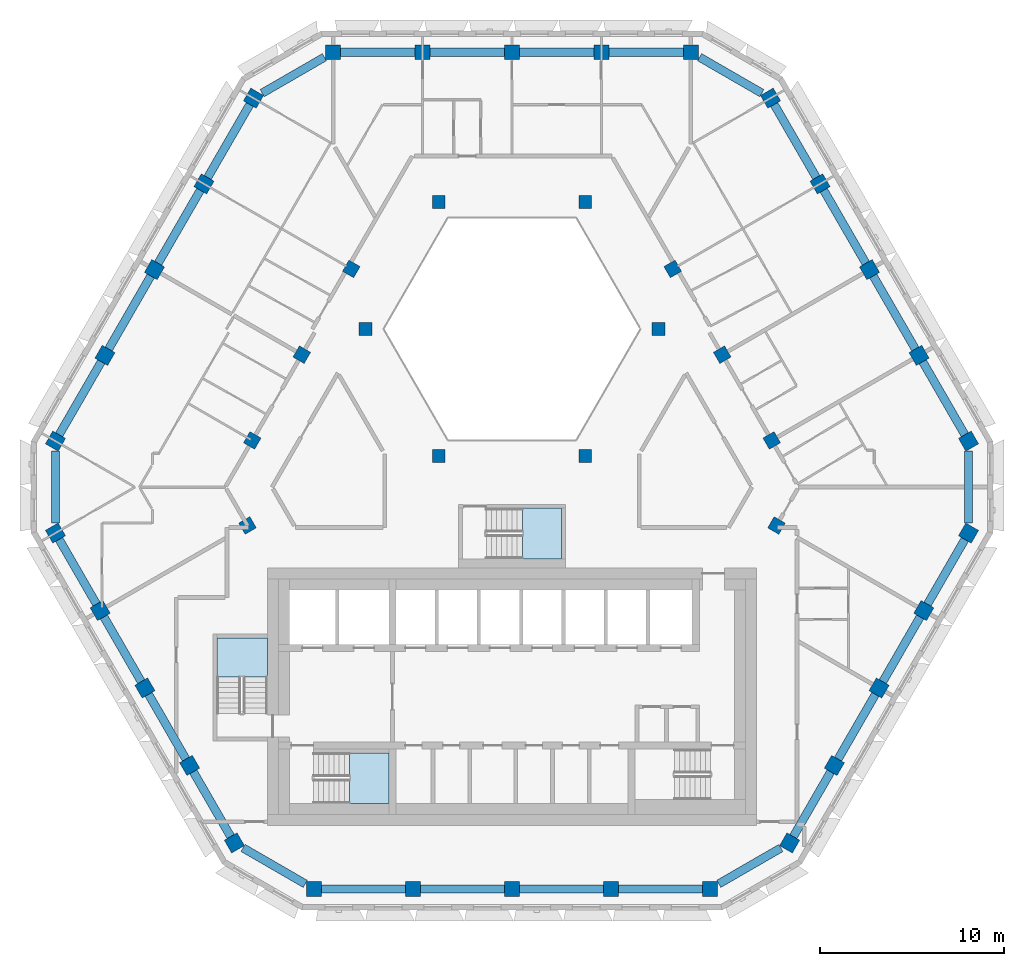
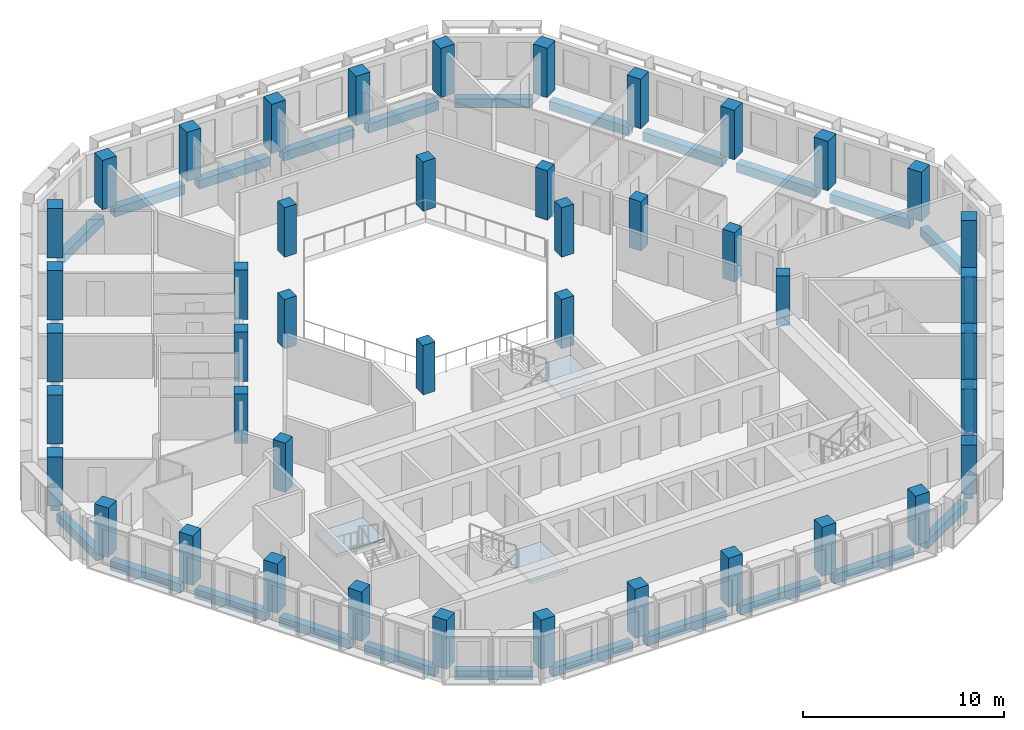
# One storey, part 1 of 18: 44 columns, 30 beams, 3 slabs, 3 elements without a shape of their own.
"""IFC4 building model written with IfcOpenShell, lengths in metres."""

from ifc_helpers import new_model, si_unit, direction, frame, origin, origin_2d, place, context, subcontext, project, spatial, polyline, rectangle, outline, extrude, material, layer, layer_set, material_profile, profile_set, type_object, element, aggregate, save


model = new_model("IFC4")

# Units and contexts
model_context = context("Model", 3, precision=1e-05, world=origin(), true_north=direction((0.0, 1.0)))
body_context = subcontext(model_context, "Body", "Model", "MODEL_VIEW")
ifc_project = project(units=[si_unit("LENGTHUNIT", "METRE"), si_unit("AREAUNIT", "SQUARE_METRE"), si_unit("VOLUMEUNIT", "CUBIC_METRE"), si_unit("PLANEANGLEUNIT", "RADIAN"), si_unit("MASSUNIT", "GRAM", prefix="KILO")], contexts=[model_context])

# Site, building, storey
site_placement = place(None, origin())
site = spatial("IfcSite", under=ifc_project, at=site_placement, CompositionType="ELEMENT")
building_placement = place(site_placement, origin())
building = spatial("IfcBuilding", under=site, at=building_placement, Name="Beryl Residences", CompositionType="ELEMENT")
storey_placement = place(building_placement, frame((0.0, 0.0, 196.199951171875)))
storey = spatial("IfcBuildingStorey", under=building, at=storey_placement, Name="L60", CompositionType="ELEMENT", Elevation=196.199951171875)

# Columns
ifc_material_1 = material(Name="Concrete C50/60", Category="concrete")
ifc_material_profile_1 = material_profile(ifc_material_1, rectangle(XDim=0.800048828125, YDim=0.800048828125, at=origin_2d()))
ifc_profile_set_1 = profile_set([ifc_material_profile_1], Name="Concrete C50/60")
column_type_1 = type_object("IfcColumnType", Name="C4 tube column 800 x 800 C50/60", PredefinedType="COLUMN", material=ifc_profile_set_1)
for number, where, z_axis, x_axis, name in (
    (1, (9.72802734375, 23.050048828125, 0.0), (0.0, 0.0, 1.0), (-1.0, 0.0, 0.0), "C4-N1 L60"),
    (2, (4.864013671875, 23.050048828125, 0.0), (0.0, 0.0, 1.0), (-1.0, 0.0, 0.0), "C4-N2 L60"),
    (3, (0.0, 23.050048828125, 0.0), (0.0, 0.0, 1.0), (-1.0, 0.0, 0.0), "C4-N3 L60"),
    (4, (-4.864013671875, 23.050048828125, 0.0), (0.0, 0.0, 1.0), (-1.0, 0.0, 0.0), "C4-N4 L60"),
    (5, (-9.72802734375, 23.050048828125, 0.0), (0.0, 0.0, 1.0), (-1.0, 0.0, 0.0), "C4-N5 L60"),
    (6, (-14.05810546875, 20.550048828125, 0.0), (0.0, 0.0, 1.0), (-0.5, -0.866025403784, 0.0), "C4-NW1 L60"),
    (7, (-16.75, 15.887939453125, 0.0), (0.0, 0.0, 1.0), (-0.5, -0.866025403784, 0.0), "C4-NW2 L60"),
    (8, (-19.44189453125, 11.22509765625, 0.0), (0.0, 0.0, 1.0), (-0.5, -0.866025403784, 0.0), "C4-NW3 L60"),
    (9, (-22.134033203125, 6.56201171875, 0.0), (0.0, 0.0, 1.0), (-0.5, -0.866025403784, 0.0), "C4-NW4 L60"),
    (10, (-24.825927734375, 1.89990234375, 0.0), (0.0, 0.0, 1.0), (-0.5, -0.866025403784, 0.0), "C4-NW5 L60"),
    (11, (-24.825927734375, -3.09912109375, 0.0), (0.0, 0.0, 1.0), (0.5, -0.866025403784, 0.0), "C4-SW1 L60"),
    (12, (-22.39404296875, -7.31201171875, 0.0), (0.0, 0.0, 1.0), (0.5, -0.866025403784, 0.0), "C4-SW2 L60"),
    (13, (-19.9619140625, -11.52392578125, 0.0), (0.0, 0.0, 1.0), (0.5, -0.866025403784, 0.0), "C4-SW3 L60"),
    (14, (-17.530029296875, -15.736083984375, 0.0), (0.0, 0.0, 1.0), (0.5, -0.866025403784, 0.0), "C4-SW4 L60"),
    (15, (-15.097900390625, -19.948974609375, 0.0), (0.0, 0.0, 1.0), (0.5, -0.866025403784, 0.0), "C4-SW5 L60"),
    (16, (-10.76708984375, -22.449951171875, 0.0), (0.0, 0.0, 1.0), (1.0, 0.0, 0.0), "C4-S1 L60"),
    (17, (-5.383056640625, -22.449951171875, 0.0), (0.0, 0.0, 1.0), (1.0, 0.0, 0.0), "C4-S2 L60"),
    (18, (0.0009765625, -22.449951171875, 0.0), (0.0, 0.0, 1.0), (1.0, 0.0, 0.0), "C4-S3 L60"),
    (19, (5.385009765625, -22.449951171875, 0.0), (0.0, 0.0, 1.0), (1.0, 0.0, 0.0), "C4-S4 L60"),
    (20, (10.76904296875, -22.449951171875, 0.0), (0.0, 0.0, 1.0), (1.0, 0.0, 0.0), "C4-S5 L60"),
    (21, (15.096923828125, -19.950927734375, 0.0), (0.0, 0.0, 1.0), (0.5, 0.866025403784, 0.0), "C4-SE1 L60"),
    (22, (17.529052734375, -15.738037109375, 0.0), (0.0, 0.0, 1.0), (0.5, 0.866025403784, 0.0), "C4-SE2 L60"),
    (23, (19.9609375, -11.52587890625, 0.0), (0.0, 0.0, 1.0), (0.5, 0.866025403784, 0.0), "C4-SE3 L60"),
    (24, (22.39306640625, -7.31396484375, 0.0), (0.0, 0.0, 1.0), (0.5, 0.866025403784, 0.0), "C4-SE4 L60"),
    (25, (24.824951171875, -3.10107421875, 0.0), (0.0, 0.0, 1.0), (0.5, 0.866025403784, 0.0), "C4-SE5 L60"),
    (26, (24.825927734375, 1.89990234375, 0.0), (0.0, 0.0, 1.0), (-0.5, 0.866025403784, 0.0), "C4-NE1 L60"),
    (27, (22.134033203125, 6.56201171875, 0.0), (0.0, 0.0, 1.0), (-0.5, 0.866025403784, 0.0), "C4-NE2 L60"),
    (28, (19.44189453125, 11.22509765625, 0.0), (0.0, 0.0, 1.0), (-0.5, 0.866025403784, 0.0), "C4-NE3 L60"),
    (29, (16.75, 15.887939453125, 0.0), (0.0, 0.0, 1.0), (-0.5, 0.866025403784, 0.0), "C4-NE4 L60"),
    (30, (14.05810546875, 20.550048828125, 0.0), (0.0, 0.0, 1.0), (-0.5, 0.866025403784, 0.0), "C4-NE5 L60"),
):
    element("IfcColumn", number, at=place(storey_placement, frame(where, z_axis=z_axis, x_axis=x_axis)), inside=storey, type_object=column_type_1, Name=name, PredefinedType="COLUMN", context=body_context, shape_type="SweptSolid", body=[
        extrude(rectangle(XDim=0.800048828125, YDim=0.800048828125, at=origin_2d()), origin(), (0.0, 0.0, 1.0), 3.0),
    ])
ifc_material_2 = material(Name="Concrete C50/60", Category="concrete")
ifc_material_profile_2 = material_profile(ifc_material_2, rectangle(XDim=0.699951171875, YDim=0.699951171875, at=origin_2d()))
ifc_profile_set_2 = profile_set([ifc_material_profile_2], Name="Concrete C50/60")
column_type_2 = type_object("IfcColumnType", Name="IC4 interior column 700 x 700 C50/60", PredefinedType="COLUMN", material=ifc_profile_set_2)
for number, where, z_axis, x_axis, name in (
    (31, (-14.383056640625, -2.68701171875, 0.0), (0.0, 0.0, 1.0), (0.5, -0.866025403784, 0.0), "IC4-M01 L60"),
    (32, (14.382080078125, -2.68896484375, 0.0), (0.0, 0.0, 1.0), (0.5, 0.866025403784, 0.0), "IC4-M02 L60"),
    (33, (14.123046875, 1.93701171875, 0.0), (0.0, 0.0, 1.0), (-0.5, 0.866025403784, 0.0), "IC4-M03 L60"),
    (34, (3.98388671875, 1.10009765625, 0.0), (0.0, 0.0, 1.0), (1.0, 0.0, 0.0), "IC4-A04 L60"),
    (35, (11.430908203125, 6.60009765625, 0.0), (0.0, 0.0, 1.0), (-0.5, 0.866025403784, 0.0), "IC4-M05 L60"),
    (36, (7.967041015625, 8.0, 0.0), (0.0, 0.0, 1.0), (1.0, 0.0, 0.0), "IC4-A06 L60"),
    (37, (8.739013671875, 11.262939453125, 0.0), (0.0, 0.0, 1.0), (-0.5, 0.866025403784, 0.0), "IC4-M07 L60"),
    (38, (3.98388671875, 14.89990234375, 0.0), (0.0, 0.0, 1.0), (1.0, 0.0, 0.0), "IC4-A08 L60"),
    (39, (-3.98388671875, 14.89990234375, 0.0), (0.0, 0.0, 1.0), (1.0, 0.0, 0.0), "IC4-A09 L60"),
    (40, (-8.739013671875, 11.262939453125, 0.0), (0.0, 0.0, 1.0), (-0.5, -0.866025403784, 0.0), "IC4-M10 L60"),
    (41, (-7.967041015625, 8.0, 0.0), (0.0, 0.0, 1.0), (1.0, 0.0, 0.0), "IC4-A11 L60"),
    (42, (-11.430908203125, 6.60009765625, 0.0), (0.0, 0.0, 1.0), (-0.5, -0.866025403784, 0.0), "IC4-M12 L60"),
    (43, (-3.98388671875, 1.10009765625, 0.0), (0.0, 0.0, 1.0), (1.0, 0.0, 0.0), "IC4-A13 L60"),
    (44, (-14.123046875, 1.93701171875, 0.0), (0.0, 0.0, 1.0), (-0.5, -0.866025403784, 0.0), "IC4-M14 L60"),
):
    element("IfcColumn", number, at=place(storey_placement, frame(where, z_axis=z_axis, x_axis=x_axis)), inside=storey, type_object=column_type_2, Name=name, PredefinedType="COLUMN", context=body_context, shape_type="SweptSolid", body=[
        extrude(rectangle(XDim=0.699951171875, YDim=0.699951171875, at=origin_2d()), origin(), (0.0, 0.0, 1.0), 3.0),
    ])

# Beams
ifc_material_3 = material(Name="Concrete C50/60", Category="concrete")
ifc_material_profile_3 = material_profile(ifc_material_3, rectangle(XDim=0.449951171875, YDim=0.550048828125, at=origin_2d()))
ifc_profile_set_3 = profile_set([ifc_material_profile_3], Name="Concrete C50/60")
beam_type = type_object("IfcBeamType", Name="SB4 spandrel beam 450 x 550 C50/60", PredefinedType="SPANDREL", material=ifc_profile_set_3)
beam_1_placement = place(storey_placement, frame((9.327880859375, 23.050048828125, -0.574951171875), z_axis=(-1.0, 0.0, 0.0), x_axis=(0.0, -1.0, 0.0)))
element("IfcBeam", 45, at=beam_1_placement, inside=storey, type_object=beam_type, Name="SB4 L60 N-0", PredefinedType="SPANDREL", context=body_context, shape_type="SweptSolid", body=[
    extrude(rectangle(XDim=0.449951171875, YDim=0.550048828125, at=origin_2d()), origin(), (0.0, 0.0, 1.0), 4.06396484375),
])
for number, where, z_axis, x_axis, name in (
    (46, (4.464111328125, 23.050048828125, -0.574951171875), (-1.0, 0.0, 0.0), (0.0, -1.0, 0.0), "SB4 L60 N-1"),
    (47, (-0.39990234375, 23.050048828125, -0.574951171875), (-1.0, 0.0, 0.0), (0.0, -1.0, 0.0), "SB4 L60 N-2"),
):
    element("IfcBeam", number, at=place(storey_placement, frame(where, z_axis=z_axis, x_axis=x_axis)), inside=storey, type_object=beam_type, Name=name, PredefinedType="SPANDREL", context=body_context, shape_type="SweptSolid", body=[
        extrude(rectangle(XDim=0.449951171875, YDim=0.550048828125, at=origin_2d()), origin(), (0.0, 0.0, 1.0), 4.064208984375),
    ])
beam_2_placement = place(storey_placement, frame((-5.263916015625, 23.050048828125, -0.574951171875), z_axis=(-1.0, 0.0, 0.0), x_axis=(0.0, -1.0, 0.0)))
element("IfcBeam", 48, at=beam_2_placement, inside=storey, type_object=beam_type, Name="SB4 L60 N-3", PredefinedType="SPANDREL", context=body_context, shape_type="SweptSolid", body=[
    extrude(rectangle(XDim=0.449951171875, YDim=0.550048828125, at=origin_2d()), origin(), (0.0, 0.0, 1.0), 4.06396484375),
])
beam_3_placement = place(storey_placement, frame((-10.200927734375, 22.777099609375, -0.574951171875), z_axis=(-0.865988935984, -0.500063158763, 0.0), x_axis=(0.500063158763, -0.865988935984, 0.0)))
element("IfcBeam", 49, at=beam_3_placement, inside=storey, type_object=beam_type, Name="SB4 L60 N-4", PredefinedType="SPANDREL", context=body_context, shape_type="SweptSolid", body=[
    extrude(rectangle(XDim=0.449951171875, YDim=0.550048828125, at=origin_2d()), origin(), (0.0, 0.0, 1.0), 3.90771484375),
])
beam_4_placement = place(storey_placement, frame((-14.258056640625, 20.2041015625, -0.574951171875), z_axis=(-0.499965247104, -0.866045467449, 0.0), x_axis=(0.866045467449, -0.499965247104, 0.0)))
element("IfcBeam", 50, at=beam_4_placement, inside=storey, type_object=beam_type, Name="SB4 L60 NW-0", PredefinedType="SPANDREL", context=body_context, shape_type="SweptSolid", body=[
    extrude(rectangle(XDim=0.449951171875, YDim=0.550048828125, at=origin_2d()), origin(), (0.0, 0.0, 1.0), 4.584228515625),
])
for number, where, z_axis, x_axis, name in (
    (51, (-16.949951171875, 15.5419921875, -0.574951171875), (-0.499896077001, -0.866085395443, 0.0), (0.866085395443, -0.499896077001, 0.0), "SB4 L60 NW-1"),
    (52, (-19.64208984375, 10.87890625, -0.574951171875), (-0.499896077001, -0.866085395443, 0.0), (0.866085395443, -0.499896077001, 0.0), "SB4 L60 NW-2"),
):
    element("IfcBeam", number, at=place(storey_placement, frame(where, z_axis=z_axis, x_axis=x_axis)), inside=storey, type_object=beam_type, Name=name, PredefinedType="SPANDREL", context=body_context, shape_type="SweptSolid", body=[
        extrude(rectangle(XDim=0.449951171875, YDim=0.550048828125, at=origin_2d()), origin(), (0.0, 0.0, 1.0), 4.5849609375),
    ])
beam_5_placement = place(storey_placement, frame((-22.333984375, 6.216064453125, -0.574951171875), z_axis=(-0.49998830735, -0.866032154434, 0.0), x_axis=(0.866032154434, -0.49998830735, 0.0)))
element("IfcBeam", 53, at=beam_5_placement, inside=storey, type_object=beam_type, Name="SB4 L60 NW-3", PredefinedType="SPANDREL", context=body_context, shape_type="SweptSolid", body=[
    extrude(rectangle(XDim=0.449951171875, YDim=0.550048828125, at=origin_2d()), origin(), (0.0, 0.0, 1.0), 4.583984375),
])
beam_6_placement = place(storey_placement, frame((-24.825927734375, 1.35400390625, -0.574951171875), z_axis=(0.0, -1.0, 0.0), x_axis=(1.0, 0.0, 0.0)))
element("IfcBeam", 54, at=beam_6_placement, inside=storey, type_object=beam_type, Name="SB4 L60 NW-4", PredefinedType="SPANDREL", context=body_context, shape_type="SweptSolid", body=[
    extrude(rectangle(XDim=0.449951171875, YDim=0.550048828125, at=origin_2d()), origin(), (0.0, 0.0, 1.0), 3.906982421875),
])
beam_7_placement = place(storey_placement, frame((-24.6259765625, -3.445068359375, -0.574951171875), z_axis=(0.499840293234, -0.866117590896, 0.0), x_axis=(0.866117590896, 0.499840293234, 0.0)))
element("IfcBeam", 55, at=beam_7_placement, inside=storey, type_object=beam_type, Name="SB4 L60 SW-0", PredefinedType="SPANDREL", context=body_context, shape_type="SweptSolid", body=[
    extrude(rectangle(XDim=0.449951171875, YDim=0.550048828125, at=origin_2d()), origin(), (0.0, 0.0, 1.0), 4.065185546875),
])
beam_8_placement = place(storey_placement, frame((-22.194091796875, -7.657958984375, -0.574951171875), z_axis=(0.499944307952, -0.866057555216, 0.0), x_axis=(0.866057555216, 0.499944307952, 0.0)))
element("IfcBeam", 56, at=beam_8_placement, inside=storey, type_object=beam_type, Name="SB4 L60 SW-1", PredefinedType="SPANDREL", context=body_context, shape_type="SweptSolid", body=[
    extrude(rectangle(XDim=0.449951171875, YDim=0.550048828125, at=origin_2d()), origin(), (0.0, 0.0, 1.0), 4.064453125),
])
beam_9_placement = place(storey_placement, frame((-19.761962890625, -11.8701171875, -0.574951171875), z_axis=(0.499970317269, -0.866042540439, 0.0), x_axis=(0.866042540439, 0.499970317269, 0.0)))
element("IfcBeam", 57, at=beam_9_placement, inside=storey, type_object=beam_type, Name="SB4 L60 SW-2", PredefinedType="SPANDREL", context=body_context, shape_type="SweptSolid", body=[
    extrude(rectangle(XDim=0.449951171875, YDim=0.550048828125, at=origin_2d()), origin(), (0.0, 0.0, 1.0), 4.064208984375),
])
beam_10_placement = place(storey_placement, frame((-17.330078125, -16.08203125, -0.574951171875), z_axis=(0.499840293234, -0.866117590896, 0.0), x_axis=(0.866117590896, 0.499840293234, 0.0)))
element("IfcBeam", 58, at=beam_10_placement, inside=storey, type_object=beam_type, Name="SB4 L60 SW-3", PredefinedType="SPANDREL", context=body_context, shape_type="SweptSolid", body=[
    extrude(rectangle(XDim=0.449951171875, YDim=0.550048828125, at=origin_2d()), origin(), (0.0, 0.0, 1.0), 4.065185546875),
])
beam_11_placement = place(storey_placement, frame((-14.625, -20.221923828125, -0.574951171875), z_axis=(0.865943218558, -0.500142321977, 0.0), x_axis=(0.500142321977, 0.865943218558, 0.0)))
element("IfcBeam", 59, at=beam_11_placement, inside=storey, type_object=beam_type, Name="SB4 L60 SW-4", PredefinedType="SPANDREL", context=body_context, shape_type="SweptSolid", body=[
    extrude(rectangle(XDim=0.449951171875, YDim=0.550048828125, at=origin_2d()), origin(), (0.0, 0.0, 1.0), 3.908935546875),
])
for number, where, z_axis, x_axis, name in (
    (60, (-10.366943359375, -22.449951171875, -0.574951171875), (1.0, 0.0, 0.0), (0.0, 1.0, 0.0), "SB4 L60 S-0"),
    (61, (-4.98291015625, -22.449951171875, -0.574951171875), (1.0, 0.0, 0.0), (0.0, 1.0, 0.0), "SB4 L60 S-1"),
):
    element("IfcBeam", number, at=place(storey_placement, frame(where, z_axis=z_axis, x_axis=x_axis)), inside=storey, type_object=beam_type, Name=name, PredefinedType="SPANDREL", context=body_context, shape_type="SweptSolid", body=[
        extrude(rectangle(XDim=0.449951171875, YDim=0.550048828125, at=origin_2d()), origin(), (0.0, 0.0, 1.0), 4.583984375),
    ])
beam_12_placement = place(storey_placement, frame((0.40087890625, -22.449951171875, -0.574951171875), z_axis=(1.0, 0.0, 0.0), x_axis=(0.0, 1.0, 0.0)))
element("IfcBeam", 62, at=beam_12_placement, inside=storey, type_object=beam_type, Name="SB4 L60 S-2", PredefinedType="SPANDREL", context=body_context, shape_type="SweptSolid", body=[
    extrude(rectangle(XDim=0.449951171875, YDim=0.550048828125, at=origin_2d()), origin(), (0.0, 0.0, 1.0), 4.584228515625),
])
beam_13_placement = place(storey_placement, frame((5.784912109375, -22.449951171875, -0.574951171875), z_axis=(1.0, 0.0, 0.0), x_axis=(0.0, 1.0, 0.0)))
element("IfcBeam", 63, at=beam_13_placement, inside=storey, type_object=beam_type, Name="SB4 L60 S-3", PredefinedType="SPANDREL", context=body_context, shape_type="SweptSolid", body=[
    extrude(rectangle(XDim=0.449951171875, YDim=0.550048828125, at=origin_2d()), origin(), (0.0, 0.0, 1.0), 4.583984375),
])
beam_14_placement = place(storey_placement, frame((11.241943359375, -22.177001953125, -0.574951171875), z_axis=(0.865999234303, 0.500045324131, 0.0), x_axis=(-0.500045324131, 0.865999234303, 0.0)))
element("IfcBeam", 64, at=beam_14_placement, inside=storey, type_object=beam_type, Name="SB4 L60 S-4", PredefinedType="SPANDREL", context=body_context, shape_type="SweptSolid", body=[
    extrude(rectangle(XDim=0.449951171875, YDim=0.550048828125, at=origin_2d()), origin(), (0.0, 0.0, 1.0), 3.905517578125),
])
beam_15_placement = place(storey_placement, frame((15.297119140625, -19.60498046875, -0.574951171875), z_axis=(0.499840293234, 0.866117590896, 0.0), x_axis=(-0.866117590896, 0.499840293234, 0.0)))
element("IfcBeam", 65, at=beam_15_placement, inside=storey, type_object=beam_type, Name="SB4 L60 SE-0", PredefinedType="SPANDREL", context=body_context, shape_type="SweptSolid", body=[
    extrude(rectangle(XDim=0.449951171875, YDim=0.550048828125, at=origin_2d()), origin(), (0.0, 0.0, 1.0), 4.065185546875),
])
for number, where, z_axis, x_axis, name in (
    (66, (17.72900390625, -15.39208984375, -0.574951171875), (0.499944307952, 0.866057555216, 0.0), (-0.866057555216, 0.499944307952, 0.0), "SB4 L60 SE-1"),
    (67, (20.160888671875, -11.179931640625, -0.574951171875), (0.499989360119, 0.866031546636, 0.0), (-0.866031546636, 0.499989360119, 0.0), "SB4 L60 SE-2"),
):
    element("IfcBeam", number, at=place(storey_placement, frame(where, z_axis=z_axis, x_axis=x_axis)), inside=storey, type_object=beam_type, Name=name, PredefinedType="SPANDREL", context=body_context, shape_type="SweptSolid", body=[
        extrude(rectangle(XDim=0.449951171875, YDim=0.550048828125, at=origin_2d()), origin(), (0.0, 0.0, 1.0), 4.064453125),
    ])
beam_16_placement = place(storey_placement, frame((22.593017578125, -6.968017578125, -0.574951171875), z_axis=(0.499840293234, 0.866117590896, 0.0), x_axis=(-0.866117590896, 0.499840293234, 0.0)))
element("IfcBeam", 68, at=beam_16_placement, inside=storey, type_object=beam_type, Name="SB4 L60 SE-3", PredefinedType="SPANDREL", context=body_context, shape_type="SweptSolid", body=[
    extrude(rectangle(XDim=0.449951171875, YDim=0.550048828125, at=origin_2d()), origin(), (0.0, 0.0, 1.0), 4.065185546875),
])
beam_17_placement = place(storey_placement, frame((24.824951171875, -2.554931640625, -0.574951171875), z_axis=(0.000249828235, 0.999999968793, 0.0), x_axis=(-0.999999968793, 0.000249828235, 0.0)))
element("IfcBeam", 69, at=beam_17_placement, inside=storey, type_object=beam_type, Name="SB4 L60 SE-4", PredefinedType="SPANDREL", context=body_context, shape_type="SweptSolid", body=[
    extrude(rectangle(XDim=0.449951171875, YDim=0.550048828125, at=origin_2d()), origin(), (0.0, 0.0, 1.0), 3.908935546875),
])
beam_18_placement = place(storey_placement, frame((24.6259765625, 2.24609375, -0.574951171875), z_axis=(-0.49998830735, 0.866032154434, 0.0), x_axis=(-0.866032154434, -0.49998830735, 0.0)))
element("IfcBeam", 70, at=beam_18_placement, inside=storey, type_object=beam_type, Name="SB4 L60 NE-0", PredefinedType="SPANDREL", context=body_context, shape_type="SweptSolid", body=[
    extrude(rectangle(XDim=0.449951171875, YDim=0.550048828125, at=origin_2d()), origin(), (0.0, 0.0, 1.0), 4.583984375),
])
for number, where, z_axis, x_axis, name in (
    (71, (21.93408203125, 6.907958984375, -0.574951171875), (-0.499896077001, 0.866085395443, 0.0), (-0.866085395443, -0.499896077001, 0.0), "SB4 L60 NE-1"),
    (72, (19.241943359375, 11.571044921875, -0.574951171875), (-0.499896077001, 0.866085395443, 0.0), (-0.866085395443, -0.499896077001, 0.0), "SB4 L60 NE-2"),
):
    element("IfcBeam", number, at=place(storey_placement, frame(where, z_axis=z_axis, x_axis=x_axis)), inside=storey, type_object=beam_type, Name=name, PredefinedType="SPANDREL", context=body_context, shape_type="SweptSolid", body=[
        extrude(rectangle(XDim=0.449951171875, YDim=0.550048828125, at=origin_2d()), origin(), (0.0, 0.0, 1.0), 4.5849609375),
    ])
beam_19_placement = place(storey_placement, frame((16.550048828125, 16.23388671875, -0.574951171875), z_axis=(-0.499965247104, 0.866045467449, 0.0), x_axis=(-0.866045467449, -0.499965247104, 0.0)))
element("IfcBeam", 73, at=beam_19_placement, inside=storey, type_object=beam_type, Name="SB4 L60 NE-3", PredefinedType="SPANDREL", context=body_context, shape_type="SweptSolid", body=[
    extrude(rectangle(XDim=0.449951171875, YDim=0.550048828125, at=origin_2d()), origin(), (0.0, 0.0, 1.0), 4.584228515625),
])
beam_20_placement = place(storey_placement, frame((13.5849609375, 20.822998046875, -0.574951171875), z_axis=(-0.865988935984, 0.500063158763, 0.0), x_axis=(-0.500063158763, -0.865988935984, 0.0)))
element("IfcBeam", 74, at=beam_20_placement, inside=storey, type_object=beam_type, Name="SB4 L60 NE-4", PredefinedType="SPANDREL", context=body_context, shape_type="SweptSolid", body=[
    extrude(rectangle(XDim=0.449951171875, YDim=0.550048828125, at=origin_2d()), origin(), (0.0, 0.0, 1.0), 3.90771484375),
])

# Stair, slab
ifc_material_4 = material(Name="Concrete C40/50", Category="concrete")
stair_type = type_object("IfcStairType", Name="ST1 protected exit stair, half-turn, 1300 mm flights", PredefinedType="HALF_TURN_STAIR", material=ifc_material_4)
stair_1_placement = place(storey_placement, origin())
stair_1 = element("IfcStair", 75, at=stair_1_placement, inside=storey, type_object=stair_type, Name="L60 PROTECTED EXIT STAIR ST-1", PredefinedType="HALF_TURN_STAIR")
ifc_material_5 = material(Name="Concrete C40/50", Category="concrete")
ifc_layer = layer(ifc_material_5, 0.199951171875)
ifc_layer_set = layer_set([ifc_layer], Name="SLD1 stair landing 200 mm")
slab_type = type_object("IfcSlabType", Name="SLD1 stair landing 200 mm", PredefinedType="LANDING", material=ifc_layer_set)
slab_1_placement = place(storey_placement, frame((0.0, 0.0, 1.300048828125)))
slab_1 = element("IfcSlab", 76, at=slab_1_placement, type_object=slab_type, Name="ST-1 landing 1", PredefinedType="LANDING", context=body_context, shape_type="SweptSolid", body=[
    extrude(outline(polyline([(-8.840087890625, -17.800048828125), (-6.699951171875, -17.800048828125), (-6.699951171875, -15.050048828125), (-8.840087890625, -15.050048828125), (-8.840087890625, -17.800048828125)])), origin(), (0.0, 0.0, 1.0), 0.199951171875),
])
aggregate(stair_1, [slab_1])

stair_2_placement = place(storey_placement, origin())
stair_2 = element("IfcStair", 77, at=stair_2_placement, inside=storey, type_object=stair_type, Name="L60 PROTECTED EXIT STAIR ST-2", PredefinedType="HALF_TURN_STAIR")
slab_2_placement = place(storey_placement, frame((0.0, 0.0, 1.300048828125)))
slab_2 = element("IfcSlab", 78, at=slab_2_placement, type_object=slab_type, Name="ST-2 landing 1", PredefinedType="LANDING", context=body_context, shape_type="SweptSolid", body=[
    extrude(outline(polyline([(-13.300048828125, -10.93994140625), (-13.300048828125, -8.800048828125), (-16.050048828125, -8.800048828125), (-16.050048828125, -10.93994140625), (-13.300048828125, -10.93994140625)])), origin(), (0.0, 0.0, 1.0), 0.199951171875),
])
aggregate(stair_2, [slab_2])

stair_3_placement = place(storey_placement, origin())
stair_3 = element("IfcStair", 79, at=stair_3_placement, inside=storey, type_object=stair_type, Name="L60 PROTECTED EXIT STAIR ST-4", PredefinedType="HALF_TURN_STAIR")
slab_3_placement = place(storey_placement, frame((0.0, 0.0, 1.300048828125)))
slab_3 = element("IfcSlab", 80, at=slab_3_placement, type_object=slab_type, Name="ST-4 landing 1", PredefinedType="LANDING", context=body_context, shape_type="SweptSolid", body=[
    extrude(outline(polyline([(0.56005859375, -4.5), (2.699951171875, -4.5), (2.699951171875, -1.75), (0.56005859375, -1.75), (0.56005859375, -4.5)])), origin(), (0.0, 0.0, 1.0), 0.199951171875),
])
aggregate(stair_3, [slab_3])

save(model, "model.ifc")
